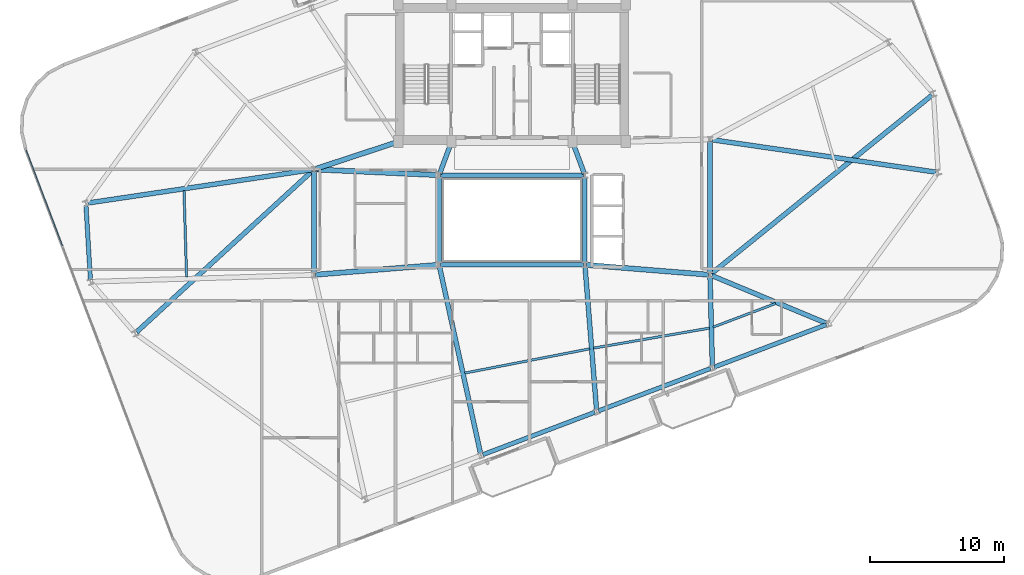
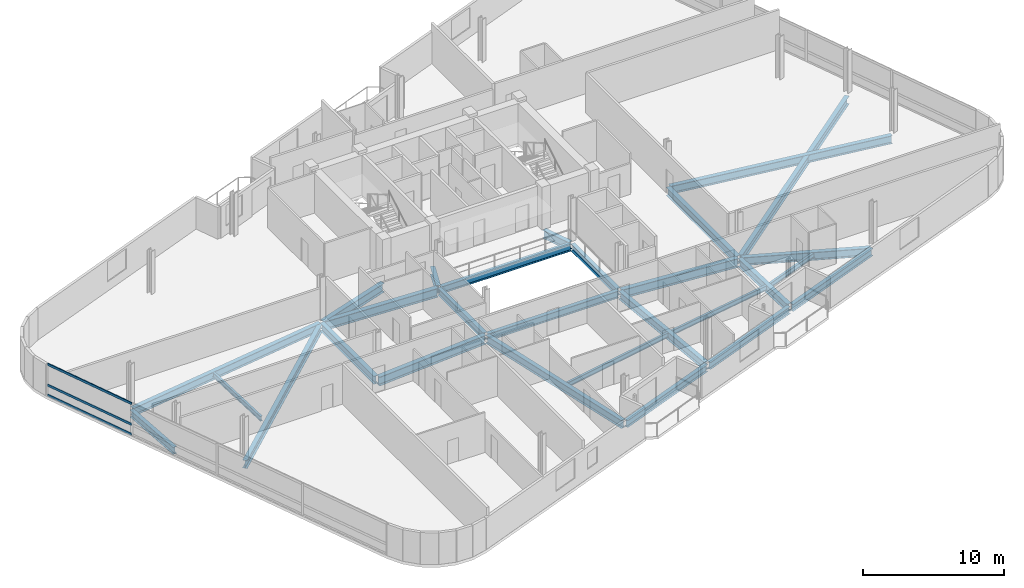
# One storey, part 7 of 20: 28 beams, 3 members, 1 element without a shape of its own.
"""IFC4 building model written with IfcOpenShell, lengths in metres."""

from ifc_helpers import new_model, si_unit, direction, frame, origin, origin_2d, place, context, subcontext, project, spatial, hollow_rectangle, i_section, extrude, material, layer, layer_set, material_profile, profile_set, type_object, element, aggregate, save


model = new_model("IFC4")

# Units and contexts
model_context = context("Model", 3, precision=1e-05, world=origin(), true_north=direction((0.0, 1.0)))
body_context = subcontext(model_context, "Body", "Model", "MODEL_VIEW")
ifc_project = project(units=[si_unit("LENGTHUNIT", "METRE"), si_unit("AREAUNIT", "SQUARE_METRE"), si_unit("VOLUMEUNIT", "CUBIC_METRE"), si_unit("PLANEANGLEUNIT", "RADIAN"), si_unit("MASSUNIT", "GRAM", prefix="KILO")], contexts=[model_context])

# Site, building, storey
site_placement = place(None, origin())
site = spatial("IfcSite", under=ifc_project, at=site_placement, CompositionType="ELEMENT")
building_placement = place(site_placement, origin())
building = spatial("IfcBuilding", under=site, at=building_placement, Name="Varnelok Gate Tower", CompositionType="ELEMENT")
storey_placement = place(building_placement, frame((0.0, 0.0, 216.39990234375)))
storey = spatial("IfcBuildingStorey", under=building, at=storey_placement, Name="L55", CompositionType="ELEMENT", Elevation=216.39990234375)

# Beams
ifc_material_1 = material(Name="Structural Steel ASTM A992 Grade 50", Category="steel")
ifc_material_profile_1 = material_profile(ifc_material_1, i_section(OverallWidth=0.180908203125, OverallDepth=0.4169921875, WebThickness=0.010986328125, FlangeThickness=0.018310546875, FilletRadius=0.013916015625, at=origin_2d()), Name="W16X57")
ifc_profile_set_1 = profile_set([ifc_material_profile_1], Name="Structural Steel ASTM A992 Grade 50")
beam_type_1 = type_object("IfcBeamType", Name="BM-JST-W16X57", PredefinedType="JOIST", material=ifc_profile_set_1)
beam_1_placement = place(storey_placement, frame((35.67138671875, 11.4560546875, -0.45849609375), z_axis=(0.981683548434, 0.190518793651, 0.0), x_axis=(-0.190518793651, 0.981683548434, 0.0)))
element("IfcBeam", 1, at=beam_1_placement, inside=storey, type_object=beam_type_1, Name="L55 Sector Floor Joist 2", PredefinedType="JOIST", context=body_context, shape_type="SweptSolid", body=[
    extrude(i_section(OverallWidth=0.180908203125, OverallDepth=0.4169921875, WebThickness=0.010986328125, FlangeThickness=0.018310546875, FilletRadius=0.013916015625, at=origin_2d()), origin(), (0.0, 0.0, 1.0), 9.517333984375),
])
beam_2_placement = place(storey_placement, frame((45.289794921875, 13.31982421875, -0.45849609375), z_axis=(0.985440255027, 0.170022068484, 0.0), x_axis=(-0.170022068484, 0.985440255027, 0.0)))
element("IfcBeam", 2, at=beam_2_placement, inside=storey, type_object=beam_type_1, Name="L55 Sector Floor Joist 3", PredefinedType="JOIST", context=body_context, shape_type="SweptSolid", body=[
    extrude(i_section(OverallWidth=0.180908203125, OverallDepth=0.4169921875, WebThickness=0.010986328125, FlangeThickness=0.018310546875, FilletRadius=0.013916015625, at=origin_2d()), origin(), (0.0, 0.0, 1.0), 8.8037109375),
])
beam_3_placement = place(storey_placement, frame((54.234375, 14.889892578125, -0.45849609375), z_axis=(0.935207052986, 0.354101352786, 0.0), x_axis=(-0.354101352786, 0.935207052986, 0.0)))
element("IfcBeam", 3, at=beam_3_placement, inside=storey, type_object=beam_type_1, Name="L55 Sector Floor Joist 4", PredefinedType="JOIST", context=body_context, shape_type="SweptSolid", body=[
    extrude(i_section(OverallWidth=0.180908203125, OverallDepth=0.4169921875, WebThickness=0.010986328125, FlangeThickness=0.018310546875, FilletRadius=0.013916015625, at=origin_2d()), origin(), (0.0, 0.0, 1.0), 4.992431640625),
])
beam_4_placement = place(storey_placement, frame((14.6826171875, 25.095947265625, -0.45849609375), z_axis=(0.029614672616, -0.999561389393, 0.0), x_axis=(0.999561389393, 0.029614672616, 0.0)))
element("IfcBeam", 4, at=beam_4_placement, inside=storey, type_object=beam_type_1, Name="L55 Sector Floor Joist 11", PredefinedType="JOIST", context=body_context, shape_type="SweptSolid", body=[
    extrude(i_section(OverallWidth=0.180908203125, OverallDepth=0.4169921875, WebThickness=0.010986328125, FlangeThickness=0.018310546875, FilletRadius=0.013916015625, at=origin_2d()), origin(), (0.0, 0.0, 1.0), 6.455078125),
])
ifc_material_profile_2 = material_profile(ifc_material_1, i_section(OverallWidth=0.35498046875, OverallDepth=0.696044921875, WebThickness=0.015380859375, FlangeThickness=0.02490234375, FilletRadius=0.02001953125, at=origin_2d()), Name="W27X146")
ifc_profile_set_2 = profile_set([ifc_material_profile_2], Name="Structural Steel ASTM A992 Grade 50")
beam_type_2 = type_object("IfcBeamType", Name="BM-PRI-W27X146", PredefinedType="BEAM", material=ifc_profile_set_2)
for number, where, z_axis, x_axis, name in (
    (5, (33.791748046875, 26.362548828125, -0.597900390625), (0.348719329408, 0.937227202602, 0.0), (-0.937227202602, 0.348719329408, 0.0), "L55 Core-Atrium Spine Beam 12"),
    (6, (44.608154296875, 26.362548828125, -0.597900390625), (-0.348719329408, 0.937227202602, 0.0), (-0.937227202602, -0.348719329408, 0.0), "L55 Core-Atrium Spine Beam 13"),
):
    element("IfcBeam", number, at=place(storey_placement, frame(where, z_axis=z_axis, x_axis=x_axis)), inside=storey, type_object=beam_type_2, Name=name, PredefinedType="BEAM", context=body_context, shape_type="SweptSolid", body=[
        extrude(i_section(OverallWidth=0.35498046875, OverallDepth=0.696044921875, WebThickness=0.015380859375, FlangeThickness=0.02490234375, FilletRadius=0.02001953125, at=origin_2d()), origin(), (0.0, 0.0, 1.0), 2.42724609375),
    ])
beam_5_placement = place(storey_placement, frame((24.39990234375, 18.919921875, -0.597900390625), z_axis=(0.0, 1.0, 0.0), x_axis=(-1.0, 0.0, 0.0)))
element("IfcBeam", 7, at=beam_5_placement, inside=storey, type_object=beam_type_2, Name="L55 Core-Atrium Spine Beam 16", PredefinedType="BEAM", context=body_context, shape_type="SweptSolid", body=[
    extrude(i_section(OverallWidth=0.35498046875, OverallDepth=0.696044921875, WebThickness=0.015380859375, FlangeThickness=0.02490234375, FilletRadius=0.02001953125, at=origin_2d()), origin(), (0.0, 0.0, 1.0), 7.64013671875),
])
beam_6_placement = place(storey_placement, frame((54.0, 18.919921875, -0.597900390625), z_axis=(0.0, 1.0, 0.0), x_axis=(-1.0, 0.0, 0.0)))
element("IfcBeam", 8, at=beam_6_placement, inside=storey, type_object=beam_type_2, Name="L55 Core-Atrium Spine Beam 20", PredefinedType="BEAM", context=body_context, shape_type="SweptSolid", body=[
    extrude(i_section(OverallWidth=0.35498046875, OverallDepth=0.696044921875, WebThickness=0.015380859375, FlangeThickness=0.02490234375, FilletRadius=0.02001953125, at=origin_2d()), origin(), (0.0, 0.0, 1.0), 9.880126953125),
])
beam_7_placement = place(storey_placement, frame((33.7822265625, 19.403564453125, -0.597900390625), z_axis=(0.214566745256, -0.976709328219, 0.0), x_axis=(0.976709328219, 0.214566745256, 0.0)))
element("IfcBeam", 9, at=beam_7_placement, inside=storey, type_object=beam_type_2, Name="L55 Radial Floor Girder 2", PredefinedType="BEAM", context=body_context, shape_type="SweptSolid", body=[
    extrude(i_section(OverallWidth=0.35498046875, OverallDepth=0.696044921875, WebThickness=0.015380859375, FlangeThickness=0.02490234375, FilletRadius=0.02001953125, at=origin_2d()), origin(), (0.0, 0.0, 1.0), 14.28662109375),
])
beam_8_placement = place(storey_placement, frame((44.662109375, 19.400390625, -0.597900390625), z_axis=(0.079989916961, -0.996795672736, 0.0), x_axis=(0.996795672736, 0.079989916961, 0.0)))
element("IfcBeam", 10, at=beam_8_placement, inside=storey, type_object=beam_type_2, Name="L55 Radial Floor Girder 3", PredefinedType="BEAM", context=body_context, shape_type="SweptSolid", body=[
    extrude(i_section(OverallWidth=0.35498046875, OverallDepth=0.696044921875, WebThickness=0.015380859375, FlangeThickness=0.02490234375, FilletRadius=0.02001953125, at=origin_2d()), origin(), (0.0, 0.0, 1.0), 10.70703125),
])
beam_9_placement = place(storey_placement, frame((54.00390625, 18.650146484375, -0.597900390625), z_axis=(0.026105842948, -0.999659184404, 0.0), x_axis=(0.999659184404, 0.026105842948, 0.0)))
element("IfcBeam", 11, at=beam_9_placement, inside=storey, type_object=beam_type_2, Name="L55 Radial Floor Girder 4", PredefinedType="BEAM", context=body_context, shape_type="SweptSolid", body=[
    extrude(i_section(OverallWidth=0.35498046875, OverallDepth=0.696044921875, WebThickness=0.015380859375, FlangeThickness=0.02490234375, FilletRadius=0.02001953125, at=origin_2d()), origin(), (0.0, 0.0, 1.0), 6.649169921875),
])
beam_10_placement = place(storey_placement, frame((54.138427734375, 18.742431640625, -0.597900390625), z_axis=(0.923393134815, -0.383855595995, 0.0), x_axis=(0.383855595995, 0.923393134815, 0.0)))
element("IfcBeam", 12, at=beam_10_placement, inside=storey, type_object=beam_type_2, Name="L55 Radial Floor Girder 5", PredefinedType="BEAM", context=body_context, shape_type="SweptSolid", body=[
    extrude(i_section(OverallWidth=0.35498046875, OverallDepth=0.696044921875, WebThickness=0.015380859375, FlangeThickness=0.02490234375, FilletRadius=0.02001953125, at=origin_2d()), origin(), (0.0, 0.0, 1.0), 9.264892578125),
])
beam_11_placement = place(storey_placement, frame((54.1484375, 28.8984375, -0.597900390625), z_axis=(0.989703475153, -0.143132914699, 0.0), x_axis=(0.143132914699, 0.989703475153, 0.0)))
element("IfcBeam", 13, at=beam_11_placement, inside=storey, type_object=beam_type_2, Name="L55 Radial Floor Girder 6", PredefinedType="BEAM", context=body_context, shape_type="SweptSolid", body=[
    extrude(i_section(OverallWidth=0.35498046875, OverallDepth=0.696044921875, WebThickness=0.015380859375, FlangeThickness=0.02490234375, FilletRadius=0.02001953125, at=origin_2d()), origin(), (0.0, 0.0, 1.0), 16.932373046875),
])
beam_12_placement = place(storey_placement, frame((54.11669921875, 18.894287109375, -0.597900390625), z_axis=(0.777332597566, 0.629089844745, 0.0), x_axis=(-0.629089844745, 0.777332597566, 0.0)))
element("IfcBeam", 14, at=beam_12_placement, inside=storey, type_object=beam_type_2, Name="L55 Radial Floor Girder 7", PredefinedType="BEAM", context=body_context, shape_type="SweptSolid", body=[
    extrude(i_section(OverallWidth=0.35498046875, OverallDepth=0.696044921875, WebThickness=0.015380859375, FlangeThickness=0.02490234375, FilletRadius=0.02001953125, at=origin_2d()), origin(), (0.0, 0.0, 1.0), 21.190673828125),
])
beam_13_placement = place(storey_placement, frame((24.251708984375, 26.657958984375, -0.597900390625), z_axis=(-0.989147373927, -0.146926759485, 0.0), x_axis=(0.146926759485, -0.989147373927, 0.0)))
element("IfcBeam", 15, at=beam_13_placement, inside=storey, type_object=beam_type_2, Name="L55 Radial Floor Girder 14", PredefinedType="BEAM", context=body_context, shape_type="SweptSolid", body=[
    extrude(i_section(OverallWidth=0.35498046875, OverallDepth=0.696044921875, WebThickness=0.015380859375, FlangeThickness=0.02490234375, FilletRadius=0.02001953125, at=origin_2d()), origin(), (0.0, 0.0, 1.0), 16.942138671875),
])
beam_14_placement = place(storey_placement, frame((24.289306640625, 26.57861328125, -0.597900390625), z_axis=(-0.737119491435, -0.675762425226, 0.0), x_axis=(0.675762425226, -0.737119491435, 0.0)))
element("IfcBeam", 16, at=beam_14_placement, inside=storey, type_object=beam_type_2, Name="L55 Radial Floor Girder 16", PredefinedType="BEAM", context=body_context, shape_type="SweptSolid", body=[
    extrude(i_section(OverallWidth=0.35498046875, OverallDepth=0.696044921875, WebThickness=0.015380859375, FlangeThickness=0.02490234375, FilletRadius=0.02001953125, at=origin_2d()), origin(), (0.0, 0.0, 1.0), 17.841796875),
])
ifc_material_profile_3 = material_profile(ifc_material_1, i_section(OverallWidth=0.381103515625, OverallDepth=0.77294921875, WebThickness=0.0166015625, FlangeThickness=0.027099609375, FilletRadius=0.02197265625, at=origin_2d()), Name="W30X173")
ifc_profile_set_3 = profile_set([ifc_material_profile_3], Name="Structural Steel ASTM A992 Grade 50")
beam_type_3 = type_object("IfcBeamType", Name="BM-PRI-W30X173", PredefinedType="BEAM", material=ifc_profile_set_3)
beam_15_placement = place(storey_placement, frame((24.51953125, 18.8095703125, -0.636474609375), z_axis=(0.996799206292, 0.07994587128, 0.0), x_axis=(-0.07994587128, 0.996799206292, 0.0)))
element("IfcBeam", 17, at=beam_15_placement, inside=storey, type_object=beam_type_3, Name="L55 Core-Atrium Spine Beam 14", PredefinedType="BEAM", context=body_context, shape_type="SweptSolid", body=[
    extrude(i_section(OverallWidth=0.381103515625, OverallDepth=0.77294921875, WebThickness=0.0166015625, FlangeThickness=0.027099609375, FilletRadius=0.02197265625, at=origin_2d()), origin(), (0.0, 0.0, 1.0), 9.14013671875),
])
beam_16_placement = place(storey_placement, frame((24.52001953125, 26.674560546875, -0.636474609375), z_axis=(0.99894427814, -0.045938319209, 0.0), x_axis=(0.045938319209, 0.99894427814, 0.0)))
element("IfcBeam", 18, at=beam_16_placement, inside=storey, type_object=beam_type_3, Name="L55 Core-Atrium Spine Beam 15", PredefinedType="BEAM", context=body_context, shape_type="SweptSolid", body=[
    extrude(i_section(OverallWidth=0.381103515625, OverallDepth=0.77294921875, WebThickness=0.0166015625, FlangeThickness=0.027099609375, FilletRadius=0.02197265625, at=origin_2d()), origin(), (0.0, 0.0, 1.0), 9.11962890625),
])
beam_17_placement = place(storey_placement, frame((24.513916015625, 26.717529296875, -0.636474609375), z_axis=(0.950041943788, 0.312122259768, 0.0), x_axis=(-0.312122259768, 0.950041943788, 0.0)))
element("IfcBeam", 19, at=beam_17_placement, inside=storey, type_object=beam_type_3, Name="L55 Core-Atrium Spine Beam 17", PredefinedType="BEAM", context=body_context, shape_type="SweptSolid", body=[
    extrude(i_section(OverallWidth=0.381103515625, OverallDepth=0.77294921875, WebThickness=0.0166015625, FlangeThickness=0.027099609375, FilletRadius=0.02197265625, at=origin_2d()), origin(), (0.0, 0.0, 1.0), 6.391357421875),
])
beam_18_placement = place(storey_placement, frame((44.76953125, 19.540283203125, -0.636474609375), z_axis=(0.996799206292, -0.07994587128, 0.0), x_axis=(0.07994587128, 0.996799206292, 0.0)))
element("IfcBeam", 20, at=beam_18_placement, inside=storey, type_object=beam_type_3, Name="L55 Core-Atrium Spine Beam 18", PredefinedType="BEAM", context=body_context, shape_type="SweptSolid", body=[
    extrude(i_section(OverallWidth=0.381103515625, OverallDepth=0.77294921875, WebThickness=0.0166015625, FlangeThickness=0.027099609375, FilletRadius=0.02197265625, at=origin_2d()), origin(), (0.0, 0.0, 1.0), 9.14013671875),
])
ifc_material_profile_4 = material_profile(ifc_material_1, i_section(OverallWidth=0.323974609375, OverallDepth=0.611083984375, WebThickness=0.0126953125, FlangeThickness=0.01904296875, FilletRadius=0.01806640625, at=origin_2d()), Name="W24X104")
ifc_profile_set_4 = profile_set([ifc_material_profile_4], Name="Structural Steel ASTM A992 Grade 50")
beam_type_4 = type_object("IfcBeamType", Name="BM-SPN-W24X104", PredefinedType="SPANDREL", material=ifc_profile_set_4)
for number, where, z_axis, x_axis, name in (
    (21, (33.8701171875, 19.550048828125, -0.555419921875), (1.0, 0.0, 0.0), (0.0, 1.0, 0.0), "L55 Core-Atrium Spine Beam 8"),
    (22, (33.8701171875, 26.25, -0.555419921875), (1.0, 0.0, 0.0), (0.0, 1.0, 0.0), "L55 Core-Atrium Spine Beam 9"),
):
    element("IfcBeam", number, at=place(storey_placement, frame(where, z_axis=z_axis, x_axis=x_axis)), inside=storey, type_object=beam_type_4, Name=name, PredefinedType="SPANDREL", context=body_context, shape_type="SweptSolid", body=[
        extrude(i_section(OverallWidth=0.323974609375, OverallDepth=0.611083984375, WebThickness=0.0126953125, FlangeThickness=0.01904296875, FilletRadius=0.01806640625, at=origin_2d()), origin(), (0.0, 0.0, 1.0), 10.659912109375),
    ])
for number, where, z_axis, x_axis, name in (
    (23, (33.75, 19.669921875, -0.555419921875), (0.0, 1.0, 0.0), (-1.0, 0.0, 0.0), "L55 Core-Atrium Spine Beam 10"),
    (24, (44.64990234375, 19.669921875, -0.555419921875), (0.0, 1.0, 0.0), (-1.0, 0.0, 0.0), "L55 Core-Atrium Spine Beam 11"),
):
    element("IfcBeam", number, at=place(storey_placement, frame(where, z_axis=z_axis, x_axis=x_axis)), inside=storey, type_object=beam_type_4, Name=name, PredefinedType="SPANDREL", context=body_context, shape_type="SweptSolid", body=[
        extrude(i_section(OverallWidth=0.323974609375, OverallDepth=0.611083984375, WebThickness=0.0126953125, FlangeThickness=0.01904296875, FilletRadius=0.01806640625, at=origin_2d()), origin(), (0.0, 0.0, 1.0), 6.4599609375),
    ])
beam_19_placement = place(storey_placement, frame((37.02001953125, 5.356201171875, -0.555419921875), z_axis=(0.935220356141, 0.354066216208, 0.0), x_axis=(-0.354066216208, 0.935220356141, 0.0)))
element("IfcBeam", 25, at=beam_19_placement, inside=storey, type_object=beam_type_4, Name="L55 Perimeter Spandrel Beam 2", PredefinedType="SPANDREL", context=body_context, shape_type="SweptSolid", body=[
    extrude(i_section(OverallWidth=0.323974609375, OverallDepth=0.611083984375, WebThickness=0.0126953125, FlangeThickness=0.01904296875, FilletRadius=0.01806640625, at=origin_2d()), origin(), (0.0, 0.0, 1.0), 8.9501953125),
])
for number, where, z_axis, x_axis, name in (
    (26, (45.6708984375, 8.63134765625, -0.555419921875), (0.935216936382, 0.354075248928, 0.0), (-0.354075248928, 0.935216936382, 0.0), "L55 Perimeter Spandrel Beam 3"),
    (27, (54.32177734375, 11.906494140625, -0.555419921875), (0.935225969099, 0.354051389947, 0.0), (-0.354051389947, 0.935225969099, 0.0), "L55 Perimeter Spandrel Beam 4"),
):
    element("IfcBeam", number, at=place(storey_placement, frame(where, z_axis=z_axis, x_axis=x_axis)), inside=storey, type_object=beam_type_4, Name=name, PredefinedType="SPANDREL", context=body_context, shape_type="SweptSolid", body=[
        extrude(i_section(OverallWidth=0.323974609375, OverallDepth=0.611083984375, WebThickness=0.0126953125, FlangeThickness=0.01904296875, FilletRadius=0.01806640625, at=origin_2d()), origin(), (0.0, 0.0, 1.0), 8.949951171875),
    ])
beam_20_placement = place(storey_placement, frame((7.353759765625, 23.996826171875, -0.555419921875), z_axis=(0.059497061762, -0.99822848068, 0.0), x_axis=(0.99822848068, 0.059497061762, 0.0)))
element("IfcBeam", 28, at=beam_20_placement, inside=storey, type_object=beam_type_4, Name="L55 Perimeter Spandrel Beam 14", PredefinedType="SPANDREL", context=body_context, shape_type="SweptSolid", body=[
    extrude(i_section(OverallWidth=0.323974609375, OverallDepth=0.611083984375, WebThickness=0.0126953125, FlangeThickness=0.01904296875, FilletRadius=0.01806640625, at=origin_2d()), origin(), (0.0, 0.0, 1.0), 5.576416015625),
])

# Curtain wall, members
ifc_material_2 = material(Name="Anodized Aluminum Alloy 6063-T6", Category="aluminium")
ifc_layer = layer(ifc_material_2, 0.179931640625)
ifc_layer_set = layer_set([ifc_layer], Name="Anodized Aluminum Alloy 6063-T6")
curtain_wall_type = type_object("IfcCurtainWallType", Name="CW4-RESIDENCE-VISION", PredefinedType="USERDEFINED", material=ifc_layer_set)
curtain_wall_placement = place(storey_placement, origin())
curtain_wall = element("IfcCurtainWall", 29, at=curtain_wall_placement, inside=storey, type_object=curtain_wall_type, Name="L55 West End Vision Curtain Wall", ObjectType="UNITISED CURTAIN WALL", PredefinedType="USERDEFINED")
ifc_material_profile_5 = material_profile(ifc_material_2, hollow_rectangle(XDim=0.074951171875, YDim=0.199951171875, WallThickness=0.00390625, at=origin_2d()), Name="ALU200X75X4")
ifc_profile_set_5 = profile_set([ifc_material_profile_5], Name="Anodized Aluminum Alloy 6063-T6")
member_type = type_object("IfcMemberType", Name="CW-TRAN-200", PredefinedType="USERDEFINED", material=ifc_profile_set_5)
member_1_placement = place(storey_placement, frame((5.60009765625, 20.9599609375, 0.03759765625), z_axis=(-0.354073041953, 0.935217771945, 0.0), x_axis=(-0.935217771945, -0.354073041953, 0.0)))
member_1 = element("IfcMember", 30, at=member_1_placement, type_object=member_type, Name="CW4 transom 4.1", ObjectType="TRANSOM", PredefinedType="USERDEFINED", context=body_context, shape_type="SweptSolid", body=[
    extrude(hollow_rectangle(XDim=0.074951171875, YDim=0.199951171875, WallThickness=0.00390625, at=origin_2d()), origin(), (0.0, 0.0, 1.0), 7.6875),
])
member_2_placement = place(storey_placement, frame((5.60009765625, 20.9599609375, 0.900146484375), z_axis=(-0.354073041953, 0.935217771945, 0.0), x_axis=(-0.935217771945, -0.354073041953, 0.0)))
member_2 = element("IfcMember", 31, at=member_2_placement, type_object=member_type, Name="CW4 transom 4.2", ObjectType="TRANSOM", PredefinedType="USERDEFINED", context=body_context, shape_type="SweptSolid", body=[
    extrude(hollow_rectangle(XDim=0.074951171875, YDim=0.199951171875, WallThickness=0.00390625, at=origin_2d()), origin(), (0.0, 0.0, 1.0), 7.6875),
])
member_3_placement = place(storey_placement, frame((5.60009765625, 20.9599609375, 2.692626953125), z_axis=(-0.354073041953, 0.935217771945, 0.0), x_axis=(-0.935217771945, -0.354073041953, 0.0)))
member_3 = element("IfcMember", 32, at=member_3_placement, type_object=member_type, Name="CW4 transom 4.3", ObjectType="TRANSOM", PredefinedType="USERDEFINED", context=body_context, shape_type="SweptSolid", body=[
    extrude(hollow_rectangle(XDim=0.074951171875, YDim=0.199951171875, WallThickness=0.00390625, at=origin_2d()), origin(), (0.0, 0.0, 1.0), 7.6875),
])
aggregate(curtain_wall, [member_1, member_2, member_3])

save(model, "model.ifc")
